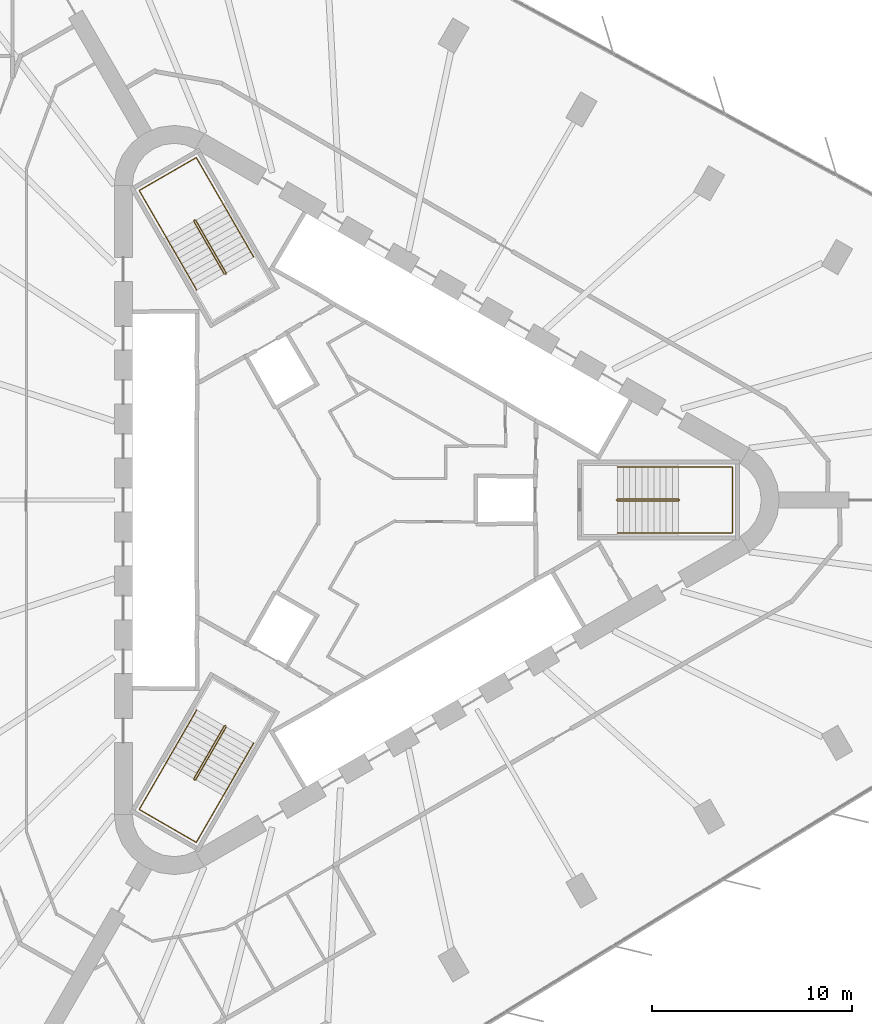
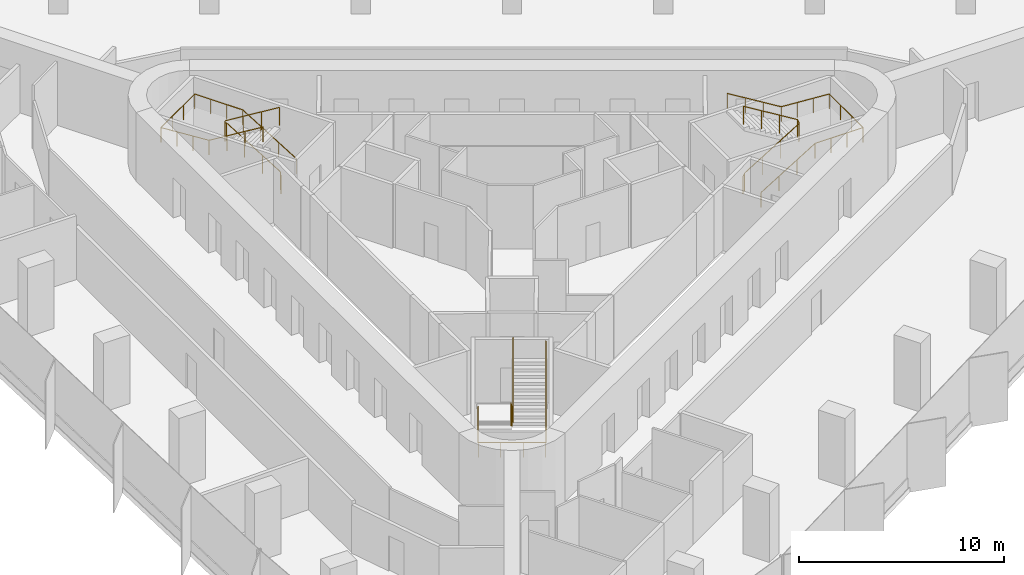
# One storey, part 14 of 14: 6 railings.
"""IFC4 building model written with IfcOpenShell, lengths in metres."""

from ifc_helpers import new_model, si_unit, direction, frame, origin, origin_2d, place, context, subcontext, project, spatial, circle, extrude, material, type_object, element, save


model = new_model("IFC4")

# Units and contexts
model_context = context("Model", 3, precision=1e-05, world=origin(), true_north=direction((0.0, 1.0)))
body_context = subcontext(model_context, "Body", "Model", "MODEL_VIEW")
ifc_project = project(units=[si_unit("LENGTHUNIT", "METRE"), si_unit("AREAUNIT", "SQUARE_METRE"), si_unit("VOLUMEUNIT", "CUBIC_METRE"), si_unit("PLANEANGLEUNIT", "RADIAN"), si_unit("MASSUNIT", "GRAM", prefix="KILO")], contexts=[model_context])

# Site, building, storey
site_placement = place(None, origin())
site = spatial("IfcSite", under=ifc_project, at=site_placement, CompositionType="ELEMENT")
building_placement = place(site_placement, origin())
building = spatial("IfcBuilding", under=site, at=building_placement, Name="Tanit Gate Tower", CompositionType="ELEMENT")
storey_placement = place(building_placement, frame((0.0, 0.0, 143.89990234375)))
storey = spatial("IfcBuildingStorey", under=building, at=storey_placement, Name="L31", CompositionType="ELEMENT", Elevation=143.89990234375)

# Railings
ifc_material_1 = material(Name="Stainless steel balustrade", Category="steel")
railing_type_1 = type_object("IfcRailingType", Name="INT-STAIR-GUARD", PredefinedType="GUARDRAIL", material=ifc_material_1)
railing_1_placement = place(storey_placement, frame((13.044921875, 0.0048828125, 0.0)))
element("IfcRailing", 1, at=railing_1_placement, inside=storey, type_object=railing_type_1, Name="L31 S1 stair guard 1", PredefinedType="GUARDRAIL", context=body_context, shape_type="SweptSolid", body=[
    extrude(circle(Radius=0.02392578125, at=origin_2d()), frame((0.0, 0.0, 1.076171875), z_axis=(0.0, -1.0, 0.0), x_axis=(1.0, 0.0, 0.0)), (0.0, 0.0, 1.0), 0.009765625),
    extrude(circle(Radius=0.02392578125, at=origin_2d()), frame((0.0, -0.009765625, 1.076171875), z_axis=(0.250869701741, -0.250869701741, 0.934948546978), x_axis=(0.707106781187, 0.707106781187, 0.0)), (0.0, 0.0, 1.0), 0.199462890625),
    extrude(circle(Radius=0.02392578125, at=origin_2d()), frame((0.050048828125, -0.059814453125, 1.2626953125), z_axis=(0.853405036568, 0.0, 0.521248351134), x_axis=(0.0, 1.0, 0.0)), (0.0, 0.0, 1.0), 3.5751953125),
    extrude(circle(Radius=0.02392578125, at=origin_2d()), frame((3.10107421875, -0.059814453125, 3.1259765625), z_axis=(0.707106781187, 0.707106781187, 0.0), x_axis=(-0.707106781187, 0.707106781187, 0.0)), (0.0, 0.0, 1.0), 0.07080078125),
    extrude(circle(Radius=0.02392578125, at=origin_2d()), frame((3.151123046875, -0.009765625, 3.1259765625), z_axis=(0.0, 1.0, 0.0), x_axis=(-1.0, 0.0, 0.0)), (0.0, 0.0, 1.0), 0.009765625),
    extrude(circle(Radius=0.02392578125, at=origin_2d()), frame((3.151123046875, 0.0, 3.1259765625), z_axis=(-0.250869701741, 0.250869701741, 0.934948546978), x_axis=(-0.707106781187, -0.707106781187, 0.0)), (0.0, 0.0, 1.0), 0.199462890625),
    extrude(circle(Radius=0.02392578125, at=origin_2d()), frame((3.10107421875, 0.050048828125, 3.3125), z_axis=(-0.853405036568, 0.0, 0.521248351134), x_axis=(0.0, -1.0, 0.0)), (0.0, 0.0, 1.0), 3.5751953125),
    extrude(circle(Radius=0.02099609375, at=origin_2d()), origin(), (0.0, 0.0, 1.0), 1.052001953125),
    extrude(circle(Radius=0.02099609375, at=origin_2d()), frame((0.0, -0.009765625, 0.0)), (0.0, 0.0, 1.0), 1.052001953125),
    extrude(circle(Radius=0.02099609375, at=origin_2d()), frame((0.050048828125, -0.059814453125, 0.1865234375)), (0.0, 0.0, 1.0), 1.052001953125),
    extrude(circle(Radius=0.02099609375, at=origin_2d()), frame((1.067138671875, -0.059814453125, 0.8076171875)), (0.0, 0.0, 1.0), 1.052001953125),
    extrude(circle(Radius=0.02099609375, at=origin_2d()), frame((2.083984375, -0.059814453125, 1.428955078125)), (0.0, 0.0, 1.0), 1.052001953125),
    extrude(circle(Radius=0.02099609375, at=origin_2d()), frame((3.10107421875, -0.059814453125, 2.050048828125)), (0.0, 0.0, 1.0), 1.052001953125),
    extrude(circle(Radius=0.02099609375, at=origin_2d()), frame((3.151123046875, -0.009765625, 2.050048828125)), (0.0, 0.0, 1.0), 1.052001953125),
    extrude(circle(Radius=0.02099609375, at=origin_2d()), frame((3.151123046875, 0.0, 2.050048828125)), (0.0, 0.0, 1.0), 1.052001953125),
    extrude(circle(Radius=0.02099609375, at=origin_2d()), frame((3.10107421875, 0.050048828125, 2.236572265625)), (0.0, 0.0, 1.0), 1.052001953125),
    extrude(circle(Radius=0.02099609375, at=origin_2d()), frame((2.083984375, 0.050048828125, 2.857666015625)), (0.0, 0.0, 1.0), 1.052001953125),
    extrude(circle(Radius=0.02099609375, at=origin_2d()), frame((1.067138671875, 0.050048828125, 3.47900390625)), (0.0, 0.0, 1.0), 1.052001953125),
    extrude(circle(Radius=0.02099609375, at=origin_2d()), frame((0.050048828125, 0.050048828125, 4.10009765625)), (0.0, 0.0, 1.0), 1.052001953125),
])
railing_2_placement = place(storey_placement, frame((-6.527099609375, 11.29345703125, 0.0)))
element("IfcRailing", 2, at=railing_2_placement, inside=storey, type_object=railing_type_1, Name="L31 S2 stair guard 1", PredefinedType="GUARDRAIL", context=body_context, shape_type="SweptSolid", body=[
    extrude(circle(Radius=0.02392578125, at=origin_2d()), frame((0.0, 0.0, 1.076171875), z_axis=(0.868243142124, 0.496138938357, 0.0), x_axis=(-0.496138938357, 0.868243142124, 0.0)), (0.0, 0.0, 1.0), 0.01171875),
    extrude(circle(Radius=0.02392578125, at=origin_2d()), frame((0.01025390625, 0.005859375, 1.076171875), z_axis=(0.09178331637, 0.342657714447, 0.934966049419), x_axis=(-0.965948051503, 0.258736085224, 0.0)), (0.0, 0.0, 1.0), 0.199462890625),
    extrude(circle(Radius=0.02392578125, at=origin_2d()), frame((0.028564453125, 0.07421875, 1.2626953125), z_axis=(-0.426651696395, 0.73893750972, 0.521478366466), x_axis=(-0.866012246495, -0.500022788402, 0.0)), (0.0, 0.0, 1.0), 3.573486328125),
    extrude(circle(Radius=0.02392578125, at=origin_2d()), frame((-1.49609375, 2.71484375, 3.1259765625), z_axis=(-0.965715946433, 0.259601060869, 0.0), x_axis=(-0.259601060869, -0.965715946433, 0.0)), (0.0, 0.0, 1.0), 0.070556640625),
    extrude(circle(Radius=0.02392578125, at=origin_2d()), frame((-1.564208984375, 2.733154296875, 3.1259765625), z_axis=(-0.873197702015, -0.487366159264, 0.0), x_axis=(0.487366159264, -0.873197702015, 0.0)), (0.0, 0.0, 1.0), 0.011962890625),
    extrude(circle(Radius=0.02392578125, at=origin_2d()), frame((-1.57470703125, 2.727294921875, 3.1259765625), z_axis=(-0.09178331637, -0.342657714447, 0.934966049419), x_axis=(0.965948051503, -0.258736085224, 0.0)), (0.0, 0.0, 1.0), 0.199462890625),
    extrude(circle(Radius=0.02392578125, at=origin_2d()), frame((-1.593017578125, 2.658935546875, 3.3125), z_axis=(0.426651696395, -0.73893750972, 0.521478366466), x_axis=(0.866012246495, 0.500022788402, 0.0)), (0.0, 0.0, 1.0), 3.573486328125),
    extrude(circle(Radius=0.02099609375, at=origin_2d()), origin(), (0.0, 0.0, 1.0), 1.052001953125),
    extrude(circle(Radius=0.02099609375, at=origin_2d()), frame((0.01025390625, 0.005859375, 0.0)), (0.0, 0.0, 1.0), 1.052001953125),
    extrude(circle(Radius=0.02099609375, at=origin_2d()), frame((0.028564453125, 0.07421875, 0.1865234375)), (0.0, 0.0, 1.0), 1.052001953125),
    extrude(circle(Radius=0.02099609375, at=origin_2d()), frame((-0.479736328125, 0.954345703125, 0.8076171875)), (0.0, 0.0, 1.0), 1.052001953125),
    extrude(circle(Radius=0.02099609375, at=origin_2d()), frame((-0.98779296875, 1.834716796875, 1.428955078125)), (0.0, 0.0, 1.0), 1.052001953125),
    extrude(circle(Radius=0.02099609375, at=origin_2d()), frame((-1.49609375, 2.71484375, 2.050048828125)), (0.0, 0.0, 1.0), 1.052001953125),
    extrude(circle(Radius=0.02099609375, at=origin_2d()), frame((-1.564208984375, 2.733154296875, 2.050048828125)), (0.0, 0.0, 1.0), 1.052001953125),
    extrude(circle(Radius=0.02099609375, at=origin_2d()), frame((-1.57470703125, 2.727294921875, 2.050048828125)), (0.0, 0.0, 1.0), 1.052001953125),
    extrude(circle(Radius=0.02099609375, at=origin_2d()), frame((-1.593017578125, 2.658935546875, 2.236572265625)), (0.0, 0.0, 1.0), 1.052001953125),
    extrude(circle(Radius=0.02099609375, at=origin_2d()), frame((-1.084716796875, 1.77880859375, 2.857666015625)), (0.0, 0.0, 1.0), 1.052001953125),
    extrude(circle(Radius=0.02099609375, at=origin_2d()), frame((-0.57666015625, 0.8984375, 3.47900390625)), (0.0, 0.0, 1.0), 1.052001953125),
    extrude(circle(Radius=0.02099609375, at=origin_2d()), frame((-0.068359375, 0.018310546875, 4.10009765625)), (0.0, 0.0, 1.0), 1.052001953125),
])
railing_3_placement = place(storey_placement, frame((-6.51806640625, -11.2998046875, 0.0)))
element("IfcRailing", 3, at=railing_3_placement, inside=storey, type_object=railing_type_1, Name="L31 S3 stair guard 1", PredefinedType="GUARDRAIL", context=body_context, shape_type="SweptSolid", body=[
    extrude(circle(Radius=0.02392578125, at=origin_2d()), frame((0.0, 0.0, 1.076171875), z_axis=(-0.874157276122, 0.485642931179, 0.0), x_axis=(-0.485642931179, -0.874157276122, 0.0)), (0.0, 0.0, 1.0), 0.010009765625),
    extrude(circle(Radius=0.02392578125, at=origin_2d()), frame((-0.0087890625, 0.0048828125, 1.076171875), z_axis=(-0.342695952383, -0.090569644558, 0.935070384359), x_axis=(0.255512919477, -0.966805641264, 0.0)), (0.0, 0.0, 1.0), 0.199462890625),
    extrude(circle(Radius=0.02392578125, at=origin_2d()), frame((-0.0771484375, -0.01318359375, 1.2626953125), z_axis=(-0.426668548982, -0.73908990167, 0.521248565042), x_axis=(0.866048339477, -0.499960272111, 0.0)), (0.0, 0.0, 1.0), 3.5751953125),
    extrude(circle(Radius=0.02392578125, at=origin_2d()), frame((-1.6025390625, -2.655517578125, 3.1259765625), z_axis=(0.258736085224, -0.965948051503, 0.0), x_axis=(0.965948051503, 0.258736085224, 0.0)), (0.0, 0.0, 1.0), 0.07080078125),
    extrude(circle(Radius=0.02392578125, at=origin_2d()), frame((-1.584228515625, -2.723876953125, 3.1259765625), z_axis=(0.868243142124, -0.496138938357, 0.0), x_axis=(0.496138938357, 0.868243142124, 0.0)), (0.0, 0.0, 1.0), 0.009765625),
    extrude(circle(Radius=0.02392578125, at=origin_2d()), frame((-1.57568359375, -2.728759765625, 3.1259765625), z_axis=(0.342657714447, 0.09178331637, 0.934966049419), x_axis=(-0.258736085224, 0.965948051503, 0.0)), (0.0, 0.0, 1.0), 0.199462890625),
    extrude(circle(Radius=0.02392578125, at=origin_2d()), frame((-1.50732421875, -2.71044921875, 3.3125), z_axis=(0.426745940485, 0.73903737685, 0.521259683745), x_axis=(-0.865993683553, 0.500054937028, 0.0)), (0.0, 0.0, 1.0), 3.574951171875),
    extrude(circle(Radius=0.02099609375, at=origin_2d()), origin(), (0.0, 0.0, 1.0), 1.052001953125),
    extrude(circle(Radius=0.02099609375, at=origin_2d()), frame((-0.0087890625, 0.0048828125, 0.0)), (0.0, 0.0, 1.0), 1.052001953125),
    extrude(circle(Radius=0.02099609375, at=origin_2d()), frame((-0.0771484375, -0.01318359375, 0.1865234375)), (0.0, 0.0, 1.0), 1.052001953125),
    extrude(circle(Radius=0.02099609375, at=origin_2d()), frame((-0.585693359375, -0.89404296875, 0.8076171875)), (0.0, 0.0, 1.0), 1.052001953125),
    extrude(circle(Radius=0.02099609375, at=origin_2d()), frame((-1.093994140625, -1.774658203125, 1.428955078125)), (0.0, 0.0, 1.0), 1.052001953125),
    extrude(circle(Radius=0.02099609375, at=origin_2d()), frame((-1.6025390625, -2.655517578125, 2.050048828125)), (0.0, 0.0, 1.0), 1.052001953125),
    extrude(circle(Radius=0.02099609375, at=origin_2d()), frame((-1.584228515625, -2.723876953125, 2.050048828125)), (0.0, 0.0, 1.0), 1.052001953125),
    extrude(circle(Radius=0.02099609375, at=origin_2d()), frame((-1.57568359375, -2.728759765625, 2.050048828125)), (0.0, 0.0, 1.0), 1.052001953125),
    extrude(circle(Radius=0.02099609375, at=origin_2d()), frame((-1.50732421875, -2.71044921875, 2.236572265625)), (0.0, 0.0, 1.0), 1.052001953125),
    extrude(circle(Radius=0.02099609375, at=origin_2d()), frame((-0.998779296875, -1.829833984375, 2.857666015625)), (0.0, 0.0, 1.0), 1.052001953125),
    extrude(circle(Radius=0.02099609375, at=origin_2d()), frame((-0.490234375, -0.948974609375, 3.47900390625)), (0.0, 0.0, 1.0), 1.052001953125),
    extrude(circle(Radius=0.02099609375, at=origin_2d()), frame((0.018310546875, -0.068359375, 4.10009765625)), (0.0, 0.0, 1.0), 1.052001953125),
])
ifc_material_2 = material(Name="Stainless steel handrail", Category="steel")
railing_type_2 = type_object("IfcRailingType", Name="INT-STAIR-HANDRAIL", PredefinedType="HANDRAIL", material=ifc_material_2)
railing_4_placement = place(storey_placement, frame((13.094970703125, -1.64990234375, 0.1865234375)))
element("IfcRailing", 4, at=railing_4_placement, inside=storey, type_object=railing_type_2, Name="L31 S1 stair handrail 1", PredefinedType="HANDRAIL", context=body_context, shape_type="SweptSolid", body=[
    extrude(circle(Radius=0.02392578125, at=origin_2d()), frame((0.0, 0.0, 0.8759765625), z_axis=(0.853405036568, 0.0, 0.521248351134), x_axis=(0.0, 1.0, 0.0)), (0.0, 0.0, 1.0), 3.5751953125),
    extrude(circle(Radius=0.02392578125, at=origin_2d()), frame((3.051025390625, 0.0, 2.7392578125), z_axis=(1.0, 0.0, 0.0), x_axis=(0.0, 1.0, 0.0)), (0.0, 0.0, 1.0), 2.7041015625),
    extrude(circle(Radius=0.02392578125, at=origin_2d()), frame((5.755126953125, 0.0, 2.7392578125), z_axis=(0.0, 1.0, 0.0), x_axis=(-1.0, 0.0, 0.0)), (0.0, 0.0, 1.0), 3.2998046875),
    extrude(circle(Radius=0.02392578125, at=origin_2d()), frame((5.755126953125, 3.2998046875, 2.7392578125), z_axis=(-0.997629475601, 0.0, 0.068814456425), x_axis=(0.0, -1.0, 0.0)), (0.0, 0.0, 1.0), 2.71044921875),
    extrude(circle(Radius=0.02392578125, at=origin_2d()), frame((3.051025390625, 3.2998046875, 2.92578125), z_axis=(-0.853405036568, 0.0, 0.521248351134), x_axis=(0.0, -1.0, 0.0)), (0.0, 0.0, 1.0), 3.5751953125),
    extrude(circle(Radius=0.02099609375, at=origin_2d()), origin(), (0.0, 0.0, 1.0), 0.851806640625),
    extrude(circle(Radius=0.02099609375, at=origin_2d()), frame((1.01708984375, 0.0, 0.62109375)), (0.0, 0.0, 1.0), 0.851806640625),
    extrude(circle(Radius=0.02099609375, at=origin_2d()), frame((2.033935546875, 0.0, 1.242431640625)), (0.0, 0.0, 1.0), 0.851806640625),
    extrude(circle(Radius=0.02099609375, at=origin_2d()), frame((3.051025390625, 0.0, 1.863525390625)), (0.0, 0.0, 1.0), 0.851806640625),
    extrude(circle(Radius=0.02099609375, at=origin_2d()), frame((3.952392578125, 0.0, 1.863525390625)), (0.0, 0.0, 1.0), 0.851806640625),
    extrude(circle(Radius=0.02099609375, at=origin_2d()), frame((4.853759765625, 0.0, 1.863525390625)), (0.0, 0.0, 1.0), 0.851806640625),
    extrude(circle(Radius=0.02099609375, at=origin_2d()), frame((5.755126953125, 0.0, 1.863525390625)), (0.0, 0.0, 1.0), 0.851806640625),
    extrude(circle(Radius=0.02099609375, at=origin_2d()), frame((5.755126953125, 1.099853515625, 1.863525390625)), (0.0, 0.0, 1.0), 0.851806640625),
    extrude(circle(Radius=0.02099609375, at=origin_2d()), frame((5.755126953125, 2.199951171875, 1.863525390625)), (0.0, 0.0, 1.0), 0.851806640625),
    extrude(circle(Radius=0.02099609375, at=origin_2d()), frame((5.755126953125, 3.2998046875, 1.863525390625)), (0.0, 0.0, 1.0), 0.851806640625),
    extrude(circle(Radius=0.02099609375, at=origin_2d()), frame((4.853759765625, 3.2998046875, 1.92578125)), (0.0, 0.0, 1.0), 0.851806640625),
    extrude(circle(Radius=0.02099609375, at=origin_2d()), frame((3.952392578125, 3.2998046875, 1.98779296875)), (0.0, 0.0, 1.0), 0.851806640625),
    extrude(circle(Radius=0.02099609375, at=origin_2d()), frame((3.051025390625, 3.2998046875, 2.050048828125)), (0.0, 0.0, 1.0), 0.851806640625),
    extrude(circle(Radius=0.02099609375, at=origin_2d()), frame((2.033935546875, 3.2998046875, 2.671142578125)), (0.0, 0.0, 1.0), 0.851806640625),
    extrude(circle(Radius=0.02099609375, at=origin_2d()), frame((1.01708984375, 3.2998046875, 3.29248046875)), (0.0, 0.0, 1.0), 0.851806640625),
    extrude(circle(Radius=0.02099609375, at=origin_2d()), frame((0.0, 3.2998046875, 3.91357421875)), (0.0, 0.0, 1.0), 0.851806640625),
])
railing_5_placement = place(storey_placement, frame((-5.1181640625, 12.164794921875, 0.1865234375)))
element("IfcRailing", 5, at=railing_5_placement, inside=storey, type_object=railing_type_2, Name="L31 S2 stair handrail 1", PredefinedType="HANDRAIL", context=body_context, shape_type="SweptSolid", body=[
    extrude(circle(Radius=0.02392578125, at=origin_2d()), frame((0.0, 0.0, 0.8759765625), z_axis=(-0.426595811233, 0.738959047773, 0.521493566166), x_axis=(-0.866046917185, -0.499962735845, 0.0)), (0.0, 0.0, 1.0), 3.573486328125),
    extrude(circle(Radius=0.02392578125, at=origin_2d()), frame((-1.5244140625, 2.640625, 2.7392578125), z_axis=(-0.500019123664, 0.86601436245, 0.0), x_axis=(-0.86601436245, -0.500019123664, 0.0)), (0.0, 0.0, 1.0), 2.70703125),
    extrude(circle(Radius=0.02392578125, at=origin_2d()), frame((-2.8779296875, 4.98486328125, 2.7392578125), z_axis=(-0.866008176907, -0.50002983664, 0.0), x_axis=(0.50002983664, -0.866008176907, 0.0)), (0.0, 0.0, 1.0), 3.300048828125),
    extrude(circle(Radius=0.02392578125, at=origin_2d()), frame((-5.73583984375, 3.334716796875, 2.7392578125), z_axis=(0.498875061953, -0.86394290581, 0.068748294973), x_axis=(0.865991810323, 0.500058181068, 0.0)), (0.0, 0.0, 1.0), 2.713134765625),
    extrude(circle(Radius=0.02392578125, at=origin_2d()), frame((-4.38232421875, 0.99072265625, 2.92578125), z_axis=(0.426630158194, -0.738968522208, 0.521452041232), x_axis=(0.866032263162, 0.499988119021, 0.0)), (0.0, 0.0, 1.0), 3.57373046875),
    extrude(circle(Radius=0.02099609375, at=origin_2d()), origin(), (0.0, 0.0, 1.0), 0.851806640625),
    extrude(circle(Radius=0.02099609375, at=origin_2d()), frame((-0.508056640625, 0.880126953125, 0.62109375)), (0.0, 0.0, 1.0), 0.851806640625),
    extrude(circle(Radius=0.02099609375, at=origin_2d()), frame((-1.016357421875, 1.760498046875, 1.242431640625)), (0.0, 0.0, 1.0), 0.851806640625),
    extrude(circle(Radius=0.02099609375, at=origin_2d()), frame((-1.5244140625, 2.640625, 1.863525390625)), (0.0, 0.0, 1.0), 0.851806640625),
    extrude(circle(Radius=0.02099609375, at=origin_2d()), frame((-1.9755859375, 3.422119140625, 1.863525390625)), (0.0, 0.0, 1.0), 0.851806640625),
    extrude(circle(Radius=0.02099609375, at=origin_2d()), frame((-2.4267578125, 4.203369140625, 1.863525390625)), (0.0, 0.0, 1.0), 0.851806640625),
    extrude(circle(Radius=0.02099609375, at=origin_2d()), frame((-2.8779296875, 4.98486328125, 1.863525390625)), (0.0, 0.0, 1.0), 0.851806640625),
    extrude(circle(Radius=0.02099609375, at=origin_2d()), frame((-3.83056640625, 4.434814453125, 1.863525390625)), (0.0, 0.0, 1.0), 0.851806640625),
    extrude(circle(Radius=0.02099609375, at=origin_2d()), frame((-4.783203125, 3.884765625, 1.863525390625)), (0.0, 0.0, 1.0), 0.851806640625),
    extrude(circle(Radius=0.02099609375, at=origin_2d()), frame((-5.73583984375, 3.334716796875, 1.863525390625)), (0.0, 0.0, 1.0), 0.851806640625),
    extrude(circle(Radius=0.02099609375, at=origin_2d()), frame((-5.28466796875, 2.553466796875, 1.92578125)), (0.0, 0.0, 1.0), 0.851806640625),
    extrude(circle(Radius=0.02099609375, at=origin_2d()), frame((-4.83349609375, 1.77197265625, 1.98779296875)), (0.0, 0.0, 1.0), 0.851806640625),
    extrude(circle(Radius=0.02099609375, at=origin_2d()), frame((-4.38232421875, 0.99072265625, 2.050048828125)), (0.0, 0.0, 1.0), 0.851806640625),
    extrude(circle(Radius=0.02099609375, at=origin_2d()), frame((-3.8740234375, 0.1103515625, 2.671142578125)), (0.0, 0.0, 1.0), 0.851806640625),
    extrude(circle(Radius=0.02099609375, at=origin_2d()), frame((-3.365966796875, -0.769775390625, 3.29248046875)), (0.0, 0.0, 1.0), 0.851806640625),
    extrude(circle(Radius=0.02099609375, at=origin_2d()), frame((-2.857666015625, -1.650146484375, 3.91357421875)), (0.0, 0.0, 1.0), 0.851806640625),
])
railing_6_placement = place(storey_placement, frame((-7.9765625, -10.515625, 0.1865234375)))
element("IfcRailing", 6, at=railing_6_placement, inside=storey, type_object=railing_type_2, Name="L31 S3 stair handrail 1", PredefinedType="HANDRAIL", context=body_context, shape_type="SweptSolid", body=[
    extrude(circle(Radius=0.02392578125, at=origin_2d()), frame((0.0, 0.0, 0.8759765625), z_axis=(-0.426668548982, -0.73908990167, 0.521248565042), x_axis=(0.866048339477, -0.499960272111, 0.0)), (0.0, 0.0, 1.0), 3.5751953125),
    extrude(circle(Radius=0.02392578125, at=origin_2d()), frame((-1.525390625, -2.642333984375, 2.7392578125), z_axis=(-0.50004290449, -0.866000631449, 0.0), x_axis=(0.866000631449, -0.50004290449, 0.0)), (0.0, 0.0, 1.0), 2.703857421875),
    extrude(circle(Radius=0.02392578125, at=origin_2d()), frame((-2.87744140625, -4.98388671875, 2.7392578125), z_axis=(0.866008176907, -0.50002983664, 0.0), x_axis=(0.50002983664, 0.866008176907, 0.0)), (0.0, 0.0, 1.0), 3.300048828125),
    extrude(circle(Radius=0.02392578125, at=origin_2d()), frame((-0.01953125, -6.634033203125, 2.7392578125), z_axis=(0.498818517556, 0.863970245648, 0.068814977864), x_axis=(-0.866023205937, 0.500003806764, 0.0)), (0.0, 0.0, 1.0), 2.71044921875),
    extrude(circle(Radius=0.02392578125, at=origin_2d()), frame((1.33251953125, -4.292236328125, 2.92578125), z_axis=(0.426668548982, 0.73908990167, 0.521248565042), x_axis=(-0.866048339477, 0.499960272111, 0.0)), (0.0, 0.0, 1.0), 3.5751953125),
    extrude(circle(Radius=0.02099609375, at=origin_2d()), origin(), (0.0, 0.0, 1.0), 0.851806640625),
    extrude(circle(Radius=0.02099609375, at=origin_2d()), frame((-0.508544921875, -0.880859375, 0.62109375)), (0.0, 0.0, 1.0), 0.851806640625),
    extrude(circle(Radius=0.02099609375, at=origin_2d()), frame((-1.016845703125, -1.761474609375, 1.242431640625)), (0.0, 0.0, 1.0), 0.851806640625),
    extrude(circle(Radius=0.02099609375, at=origin_2d()), frame((-1.525390625, -2.642333984375, 1.863525390625)), (0.0, 0.0, 1.0), 0.851806640625),
    extrude(circle(Radius=0.02099609375, at=origin_2d()), frame((-1.97607421875, -3.4228515625, 1.863525390625)), (0.0, 0.0, 1.0), 0.851806640625),
    extrude(circle(Radius=0.02099609375, at=origin_2d()), frame((-2.4267578125, -4.203369140625, 1.863525390625)), (0.0, 0.0, 1.0), 0.851806640625),
    extrude(circle(Radius=0.02099609375, at=origin_2d()), frame((-2.87744140625, -4.98388671875, 1.863525390625)), (0.0, 0.0, 1.0), 0.851806640625),
    extrude(circle(Radius=0.02099609375, at=origin_2d()), frame((-1.9248046875, -5.533935546875, 1.863525390625)), (0.0, 0.0, 1.0), 0.851806640625),
    extrude(circle(Radius=0.02099609375, at=origin_2d()), frame((-0.97216796875, -6.083984375, 1.863525390625)), (0.0, 0.0, 1.0), 0.851806640625),
    extrude(circle(Radius=0.02099609375, at=origin_2d()), frame((-0.01953125, -6.634033203125, 1.863525390625)), (0.0, 0.0, 1.0), 0.851806640625),
    extrude(circle(Radius=0.02099609375, at=origin_2d()), frame((0.43115234375, -5.853515625, 1.92578125)), (0.0, 0.0, 1.0), 0.851806640625),
    extrude(circle(Radius=0.02099609375, at=origin_2d()), frame((0.8818359375, -5.07275390625, 1.98779296875)), (0.0, 0.0, 1.0), 0.851806640625),
    extrude(circle(Radius=0.02099609375, at=origin_2d()), frame((1.33251953125, -4.292236328125, 2.050048828125)), (0.0, 0.0, 1.0), 0.851806640625),
    extrude(circle(Radius=0.02099609375, at=origin_2d()), frame((1.841064453125, -3.411376953125, 2.671142578125)), (0.0, 0.0, 1.0), 0.851806640625),
    extrude(circle(Radius=0.02099609375, at=origin_2d()), frame((2.349365234375, -2.53076171875, 3.29248046875)), (0.0, 0.0, 1.0), 0.851806640625),
    extrude(circle(Radius=0.02099609375, at=origin_2d()), frame((2.85791015625, -1.64990234375, 3.91357421875)), (0.0, 0.0, 1.0), 0.851806640625),
])

save(model, "model.ifc")
